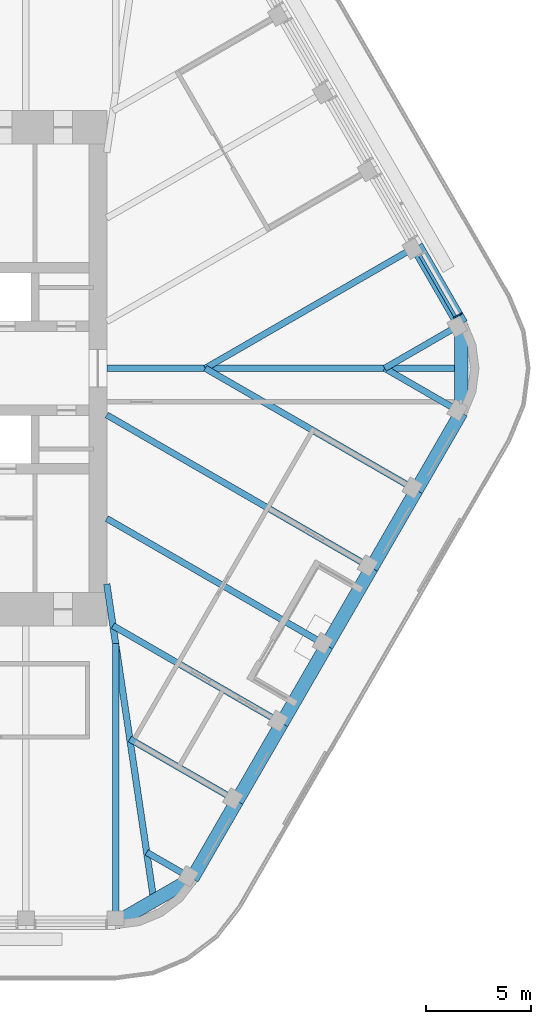
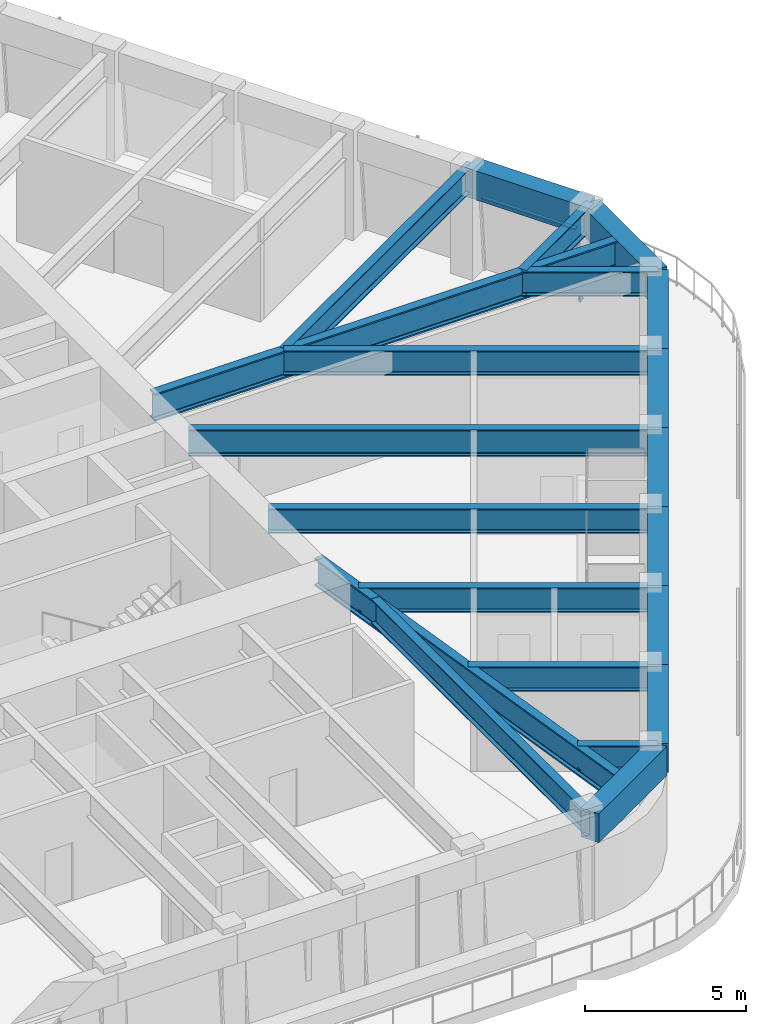
# One storey, part 5 of 20: 21 beams, 2 members, 1 element without a shape of its own.
"""IFC4 building model written with IfcOpenShell, lengths in metres."""

import ifcopenshell
import ifcopenshell.guid

model = None  # the IFC model being written
_history = None  # IfcOwnerHistory: only IFC2X3 demands one
_inside = {}  # id of a spatial element -> (the spatial element, [elements in it])
_under = {}  # id of a project, library or spatial element -> (it, [spatial elements below it])
_declared = {}  # id of a project -> (the project, [libraries it declares])
_typed = {}  # id of a type object -> (the type object, [elements of that type])
_made_of = {}  # id of a material, layer set ... -> (it, [elements and type objects made of it])


def new_model(schema):
    """Start an empty IFC model of exactly this schema.

    Asked for "IFC4X3", IfcOpenShell would pick the latest addendum, in which some entities
    have other attributes; the version numbers below select the first issue.
    IFC2X3 requires an IfcOwnerHistory on every rooted entity: one is made here for all.
    """
    global model, _history
    if schema == "IFC4X3":
        model = ifcopenshell.file(schema_version=(4, 3, 0, 0))
    else:
        model = ifcopenshell.file(schema=schema)
    _inside.clear()
    _under.clear()
    _declared.clear()
    _typed.clear()
    _made_of.clear()
    _history = None
    if model.schema == "IFC2X3":
        org = make("IfcOrganization", Name="unknown")
        user = make(
            "IfcPersonAndOrganization",
            ThePerson=make("IfcPerson", FamilyName="unknown"),
            TheOrganization=org,
        )
        app = make(
            "IfcApplication",
            ApplicationDeveloper=org,
            Version="unknown",
            ApplicationFullName="unknown",
            ApplicationIdentifier="unknown",
        )
        _history = make(
            "IfcOwnerHistory",
            OwningUser=user,
            OwningApplication=app,
            ChangeAction="ADDED",
            CreationDate=0,
        )
    return model


def make(cls, **values):
    """One entity of the class cls with the attributes given. An attribute that is None is left unset."""
    return model.create_entity(
        cls, **{name: value for name, value in values.items() if value is not None}
    )


def rooted(cls, **values):
    """An entity with a GlobalId (a new one), such as an element, a storey or a relation."""
    return make(cls, GlobalId=ifcopenshell.guid.new(), OwnerHistory=_history, **values)


def si_unit(unit_type, name, prefix=None):
    """IfcSIUnit, for example si_unit("LENGTHUNIT", "METRE", prefix="MILLI")."""
    return make("IfcSIUnit", UnitType=unit_type, Prefix=prefix, Name=name)


def assignment(units):
    """IfcUnitAssignment: the units of a project."""
    return None if units is None else make("IfcUnitAssignment", Units=units)


def point(xyz):
    """IfcCartesianPoint."""
    return None if xyz is None else make("IfcCartesianPoint", Coordinates=xyz)


def direction(xyz):
    """IfcDirection."""
    return None if xyz is None else make("IfcDirection", DirectionRatios=xyz)


def frame(location, z_axis=None, x_axis=None):
    """IfcAxis2Placement3D, a coordinate frame: its origin and axes. An axis left out is left unset."""
    return make(
        "IfcAxis2Placement3D",
        Location=point(location),
        Axis=direction(z_axis),
        RefDirection=direction(x_axis),
    )


def frame_2d(location, x_axis=None):
    """IfcAxis2Placement2D, a coordinate frame in the plane: its origin and x axis."""
    return make(
        "IfcAxis2Placement2D", Location=point(location), RefDirection=direction(x_axis)
    )


def origin():
    """The frame at (0, 0, 0) with its axes left unset."""
    return frame((0.0, 0.0, 0.0))


def origin_2d():
    """The frame at (0, 0) in the plane with its x axis left unset."""
    return frame_2d((0.0, 0.0))


def place(relative_to, where):
    """IfcLocalPlacement: puts the frame where relative to a parent placement (None: the world)."""
    return make(
        "IfcLocalPlacement", PlacementRelTo=relative_to, RelativePlacement=where
    )


def context(
    kind, dimensions, precision=None, world=None, true_north=None, identifier=None
):
    """IfcGeometricRepresentationContext, for example the 3D "Model" context."""
    return make(
        "IfcGeometricRepresentationContext",
        ContextIdentifier=identifier,
        ContextType=kind,
        CoordinateSpaceDimension=dimensions,
        Precision=precision,
        WorldCoordinateSystem=world,
        TrueNorth=true_north,
    )


def subcontext(parent, identifier, kind, view, scale=None):
    """IfcGeometricRepresentationSubContext, for example "Body" below "Model"."""
    return make(
        "IfcGeometricRepresentationSubContext",
        ContextIdentifier=identifier,
        ContextType=kind,
        ParentContext=parent,
        TargetScale=scale,
        TargetView=view,
    )


def project(units=None, contexts=None):
    """IfcProject with its units and contexts."""
    return rooted(
        "IfcProject",
        Name="project",
        RepresentationContexts=contexts,
        UnitsInContext=assignment(units),
    )


def spatial(cls, under=None, at=None, **own):
    """A site, building, storey or space (cls), placed at a placement, below another one or the project."""
    s = rooted(cls, ObjectPlacement=at, **own)
    if under is not None:
        _under.setdefault(under.id(), (under, []))[1].append(s)
    return s


def profile(cls, at=None, kind="AREA", **sizes):
    """A parametric profile (cls). Its sizes go by their IFC names, for example OverallWidth=200.0."""
    return make(cls, ProfileType=kind, Position=at, **sizes)


def rectangle(**sizes):
    """IfcRectangleProfileDef."""
    return profile("IfcRectangleProfileDef", **sizes)


def i_section(**sizes):
    """IfcIShapeProfileDef."""
    return profile("IfcIShapeProfileDef", **sizes)


def extrude(swept, where, along, depth):
    """IfcExtrudedAreaSolid: the profile swept, set in the frame where, extruded along a direction by depth."""
    return make(
        "IfcExtrudedAreaSolid",
        SweptArea=swept,
        Position=where,
        ExtrudedDirection=direction(along),
        Depth=depth,
    )


def shape(context_of_items, identifier, shape_type, items):
    """IfcShapeRepresentation: the items that make up one representation, for example the "Body"."""
    return make(
        "IfcShapeRepresentation",
        ContextOfItems=context_of_items,
        RepresentationIdentifier=identifier,
        RepresentationType=shape_type,
        Items=items,
    )


def material(Name=None, Category=None):
    """IfcMaterial."""
    return make("IfcMaterial", Name=Name, Category=Category)


def material_profile(
    of_material, cross_section, Name=None, Category=None, Priority=None
):
    """IfcMaterialProfile: a cross section and its material."""
    return make(
        "IfcMaterialProfile",
        Name=Name,
        Material=of_material,
        Profile=cross_section,
        Priority=Priority,
        Category=Category,
    )


def profile_set(profiles, Name=None, composite=None):
    """IfcMaterialProfileSet."""
    return make(
        "IfcMaterialProfileSet",
        Name=Name,
        MaterialProfiles=profiles,
        CompositeProfile=composite,
    )


def made_of(thing, what):
    """Note that an element or type object is made of a material, layer set ...; save() writes the relation."""
    if what is not None:
        _made_of.setdefault(what.id(), (what, []))[1].append(thing)
    return thing


def type_object(cls, material=None, **own):
    """A type object (cls), such as IfcWallType, which elements share."""
    return made_of(rooted(cls, **own), material)


def element(
    cls,
    number,
    at=None,
    inside=None,
    cuts=None,
    type_object=None,
    material=None,
    context=None,
    identifier="Body",
    shape_type=None,
    held_by="IfcProductDefinitionShape",
    body=None,
    shapes=None,
    **own,
):
    """One element of the class cls, such as IfcWall. Its Tag is "e" and its number.

    at: its placement. inside: the storey or other place that contains it. cuts: it is an
    opening in that element (IfcRelVoidsElement). A single representation is given by context,
    identifier, shape_type and body (its items); several are given by shapes. held_by: the class
    of the entity that holds the representations. save() writes the other relations.
    """
    e = rooted(cls, Tag="e%d" % number, ObjectPlacement=at, **own)
    if body is not None:
        shapes = [shape(context, identifier, shape_type, body)]
    if shapes is not None:
        e.Representation = make(held_by, Representations=shapes)
    if inside is not None:
        _inside.setdefault(inside.id(), (inside, []))[1].append(e)
    if cuts is not None:
        rooted(
            "IfcRelVoidsElement", RelatingBuildingElement=cuts, RelatedOpeningElement=e
        )
    if type_object is not None:
        _typed.setdefault(type_object.id(), (type_object, []))[1].append(e)
    return made_of(e, material)


def aggregate(whole, parts):
    """IfcRelAggregates: a whole, such as a stair, and the parts it consists of."""
    return rooted("IfcRelAggregates", RelatingObject=whole, RelatedObjects=parts)


def save(model, path):
    """Write the relations noted so far, then the file.

    IfcRelAggregates (storeys below a building ...), IfcRelContainedInSpatialStructure (elements
    in a storey), IfcRelDefinesByType, IfcRelAssociatesMaterial and IfcRelDeclares: one each for
    every whole, place, type object, material and project.
    """
    for whole, parts in _under.values():
        aggregate(whole, parts)
    for where, things in _inside.values():
        rooted(
            "IfcRelContainedInSpatialStructure",
            RelatedElements=things,
            RelatingStructure=where,
        )
    for kind, things in _typed.values():
        rooted("IfcRelDefinesByType", RelatedObjects=things, RelatingType=kind)
    for what, things in _made_of.values():
        rooted("IfcRelAssociatesMaterial", RelatedObjects=things, RelatingMaterial=what)
    for by, libraries in _declared.values():
        rooted("IfcRelDeclares", RelatingContext=by, RelatedDefinitions=libraries)
    model.write(path)


model = new_model("IFC4")

# Units and contexts
model_context = context("Model", 3, precision=1e-05, world=origin(), true_north=direction((0.0, 1.0)))
body_context = subcontext(model_context, "Body", "Model", "MODEL_VIEW")
ifc_project = project(units=[si_unit("LENGTHUNIT", "METRE"), si_unit("AREAUNIT", "SQUARE_METRE"), si_unit("VOLUMEUNIT", "CUBIC_METRE"), si_unit("PLANEANGLEUNIT", "RADIAN"), si_unit("MASSUNIT", "GRAM", prefix="KILO")], contexts=[model_context])

# Site, building, storey
site_placement = place(None, origin())
site = spatial("IfcSite", under=ifc_project, at=site_placement, CompositionType="ELEMENT")
building_placement = place(site_placement, origin())
building = spatial("IfcBuilding", under=site, at=building_placement, Name="Tarfa Lantern Tower", CompositionType="ELEMENT")
storey_placement = place(building_placement, frame((0.0, 0.0, 382.89990234375)))
storey = spatial("IfcBuildingStorey", under=building, at=storey_placement, Name="L87", CompositionType="ELEMENT", Elevation=382.89990234375)

# Curtain wall, members
ifc_material_1 = material(Name="Aluminium framed curtain wall", Category="aluminium")
curtain_wall_type = type_object("IfcCurtainWallType", Name="CW4 CANTED GLAZING EXECUTIVE ZONE 2900", PredefinedType="USERDEFINED", material=ifc_material_1)
curtain_wall_placement = place(storey_placement, origin())
curtain_wall = element("IfcCurtainWall", 1, at=curtain_wall_placement, inside=storey, type_object=curtain_wall_type, Name="CW4 NE L87", ObjectType="CURTAIN WALL", PredefinedType="USERDEFINED")
ifc_material_2 = material(Name="Aluminium mullion", Category="aluminium")
ifc_material_profile_1 = material_profile(ifc_material_2, rectangle(XDim=0.06494140625, YDim=0.199951171875, at=origin_2d()), Name="AL MULLION 65x200")
ifc_profile_set_1 = profile_set([ifc_material_profile_1], Name="Aluminium mullion")
member_type_1 = type_object("IfcMemberType", Name="CWM1 MULLION 65x200", PredefinedType="MULLION", material=ifc_profile_set_1)
member_1_placement = place(storey_placement, frame((29.286376953125, 2.574462890625, 0.0), z_axis=(-0.074393603155, -0.042941967097, 0.996303959277), x_axis=(0.499919672301, -0.866071776036, 0.0)))
member_1 = element("IfcMember", 2, at=member_1_placement, type_object=member_type_1, Name="CW4 mullion 1", PredefinedType="MULLION", context=body_context, shape_type="SweptSolid", body=[
    extrude(rectangle(XDim=0.06494140625, YDim=0.199951171875, at=origin_2d()), origin(), (0.0, 0.0, 1.0), 2.910888671875),
])
ifc_material_3 = material(Name="Aluminium transom", Category="aluminium")
ifc_material_profile_2 = material_profile(ifc_material_3, rectangle(XDim=0.14990234375, YDim=0.06494140625, at=origin_2d()), Name="AL TRANSOM 150x65")
ifc_profile_set_2 = profile_set([ifc_material_profile_2], Name="Aluminium transom")
member_type_2 = type_object("IfcMemberType", Name="CWT1 TRANSOM 150x65", PredefinedType="USERDEFINED", material=ifc_profile_set_2)
member_2_placement = place(storey_placement, frame((29.055908203125, 2.47900390625, 2.86767578125), z_axis=(-0.499930512259, 0.866065518833, 0.0), x_axis=(-0.866065518833, -0.499930512259, 0.0)))
member_2 = element("IfcMember", 3, at=member_2_placement, type_object=member_type_2, Name="CW4 transom 1.2", ObjectType="TRANSOM", PredefinedType="USERDEFINED", context=body_context, shape_type="SweptSolid", body=[
    extrude(rectangle(XDim=0.14990234375, YDim=0.06494140625, at=origin_2d()), origin(), (0.0, 0.0, 1.0), 3.35205078125),
])
aggregate(curtain_wall, [member_1, member_2])

# Beams
ifc_material_4 = material(Name="Concrete C80/95", Category="concrete")
ifc_material_profile_3 = material_profile(ifc_material_4, rectangle(XDim=0.64990234375, YDim=1.10009765625, at=origin_2d()), Name="RC 650x1100")
ifc_profile_set_3 = profile_set([ifc_material_profile_3], Name="Concrete C80/95")
beam_type_1 = type_object("IfcBeamType", Name="EB4 RC 650x1100", PredefinedType="SPANDREL", material=ifc_profile_set_3)
beam_1_placement = place(storey_placement, frame((29.3466796875, 2.110107421875, 3.4501953125), z_axis=(-0.499984039138, 0.866034618596, 0.0), x_axis=(-0.866034618596, -0.499984039138, 0.0)))
element("IfcBeam", 4, at=beam_1_placement, inside=storey, type_object=beam_type_1, Name="Edge beam NE0", PredefinedType="SPANDREL", context=body_context, shape_type="SweptSolid", body=[
    extrude(rectangle(XDim=0.64990234375, YDim=1.10009765625, at=origin_2d()), origin(), (0.0, 0.0, 1.0), 4.281982421875),
])
beam_2_placement = place(storey_placement, frame((12.845947265625, -26.469970703125, 3.4501953125), z_axis=(0.866048788483, 0.499959494327, 0.0), x_axis=(-0.499959494327, 0.866048788483, 0.0)))
element("IfcBeam", 5, at=beam_2_placement, inside=storey, type_object=beam_type_1, Name="Edge beam S6", PredefinedType="SPANDREL", context=body_context, shape_type="SweptSolid", body=[
    extrude(rectangle(XDim=0.64990234375, YDim=1.10009765625, at=origin_2d()), origin(), (0.0, 0.0, 1.0), 4.219970703125),
])
for number, where, z_axis, x_axis, name in (
    (6, (16.500732421875, -24.360107421875, 3.4501953125), (0.499959351497, 0.866048870937, 0.0), (-0.866048870937, 0.499959351497, 0.0), "Edge beam SE0"),
    (7, (18.6416015625, -20.651611328125, 3.4501953125), (0.500026801138, 0.866009929587, 0.0), (-0.866009929587, 0.500026801138, 0.0), "Edge beam SE1"),
    (8, (20.78271484375, -16.943359375, 3.4501953125), (0.499984039138, 0.866034618596, 0.0), (-0.866034618596, 0.499984039138, 0.0), "Edge beam SE2"),
):
    element("IfcBeam", number, at=place(storey_placement, frame(where, z_axis=z_axis, x_axis=x_axis)), inside=storey, type_object=beam_type_1, Name=name, PredefinedType="SPANDREL", context=body_context, shape_type="SweptSolid", body=[
        extrude(rectangle(XDim=0.64990234375, YDim=1.10009765625, at=origin_2d()), origin(), (0.0, 0.0, 1.0), 4.281982421875),
    ])
beam_3_placement = place(storey_placement, frame((22.923583984375, -13.235107421875, 3.4501953125), z_axis=(0.500002112793, 0.866024183959, 0.0), x_axis=(-0.866024183959, 0.500002112793, 0.0)))
element("IfcBeam", 9, at=beam_3_placement, inside=storey, type_object=beam_type_1, Name="Edge beam SE3", PredefinedType="SPANDREL", context=body_context, shape_type="SweptSolid", body=[
    extrude(rectangle(XDim=0.64990234375, YDim=1.10009765625, at=origin_2d()), origin(), (0.0, 0.0, 1.0), 4.2822265625),
])
for number, where, z_axis, x_axis, name in (
    (10, (25.064697265625, -9.526611328125, 3.4501953125), (0.500026801138, 0.866009929587, 0.0), (-0.866009929587, 0.500026801138, 0.0), "Edge beam SE4"),
    (11, (27.205810546875, -5.818359375, 3.4501953125), (0.499984039138, 0.866034618596, 0.0), (-0.866034618596, 0.499984039138, 0.0), "Edge beam SE5"),
):
    element("IfcBeam", number, at=place(storey_placement, frame(where, z_axis=z_axis, x_axis=x_axis)), inside=storey, type_object=beam_type_1, Name=name, PredefinedType="SPANDREL", context=body_context, shape_type="SweptSolid", body=[
        extrude(rectangle(XDim=0.64990234375, YDim=1.10009765625, at=origin_2d()), origin(), (0.0, 0.0, 1.0), 4.281982421875),
    ])
beam_4_placement = place(storey_placement, frame((29.3466796875, -2.110107421875, 3.4501953125), z_axis=(0.0, 1.0, 0.0), x_axis=(-1.0, 0.0, 0.0)))
element("IfcBeam", 12, at=beam_4_placement, inside=storey, type_object=beam_type_1, Name="Edge beam SE6", PredefinedType="SPANDREL", context=body_context, shape_type="SweptSolid", body=[
    extrude(rectangle(XDim=0.64990234375, YDim=1.10009765625, at=origin_2d()), origin(), (0.0, 0.0, 1.0), 4.22021484375),
])
ifc_material_5 = material(Name="Steel S460M", Category="steel")
ifc_material_profile_4 = material_profile(ifc_material_5, i_section(OverallWidth=0.302001953125, OverallDepth=1.008056640625, WebThickness=0.02099609375, FlangeThickness=0.0400390625, FilletRadius=0.030029296875, at=origin_2d()), Name="UB1016x305x349")
ifc_profile_set_4 = profile_set([ifc_material_profile_4], Name="Steel S460M")
beam_type_2 = type_object("IfcBeamType", Name="UB1016x305x349", PredefinedType="BEAM", material=ifc_profile_set_4)
beam_5_placement = place(storey_placement, frame((25.064697265625, -9.526611328125, 3.49609375), z_axis=(-0.866029591389, 0.499992746786, 0.0), x_axis=(-0.499992746786, -0.866029591389, 0.0)))
element("IfcBeam", 13, at=beam_5_placement, inside=storey, type_object=beam_type_2, Name="Floor beam SE4", PredefinedType="BEAM", context=body_context, shape_type="SweptSolid", body=[
    extrude(i_section(OverallWidth=0.302001953125, OverallDepth=1.008056640625, WebThickness=0.02099609375, FlangeThickness=0.0400390625, FilletRadius=0.030029296875, at=origin_2d()), origin(), (0.0, 0.0, 1.0), 14.594970703125),
])
ifc_material_profile_5 = material_profile(ifc_material_5, i_section(OverallWidth=0.30859375, OverallDepth=1.036376953125, WebThickness=0.030029296875, FlangeThickness=0.05419921875, FilletRadius=0.030029296875, at=origin_2d()), Name="UB1016x305x487")
ifc_profile_set_5 = profile_set([ifc_material_profile_5], Name="Steel S460M")
beam_type_3 = type_object("IfcBeamType", Name="UB1016x305x487", PredefinedType="BEAM", material=ifc_profile_set_5)
beam_6_placement = place(storey_placement, frame((12.425048828125, 0.0, 3.48193359375), z_axis=(1.0, 0.0, 0.0), x_axis=(0.0, 1.0, 0.0)))
element("IfcBeam", 14, at=beam_6_placement, inside=storey, type_object=beam_type_3, Name="Hip girder E", PredefinedType="BEAM", context=body_context, shape_type="SweptSolid", body=[
    extrude(i_section(OverallWidth=0.30859375, OverallDepth=1.036376953125, WebThickness=0.030029296875, FlangeThickness=0.05419921875, FilletRadius=0.030029296875, at=origin_2d()), origin(), (0.0, 0.0, 1.0), 16.921630859375),
])
beam_7_placement = place(storey_placement, frame((12.425048828125, -10.300048828125, 3.48193359375), z_axis=(0.147127069073, -0.989117599452, 0.0), x_axis=(0.989117599452, 0.147127069073, 0.0)))
element("IfcBeam", 15, at=beam_7_placement, inside=storey, type_object=beam_type_3, Name="Hip girder SE", PredefinedType="BEAM", context=body_context, shape_type="SweptSolid", body=[
    extrude(i_section(OverallWidth=0.30859375, OverallDepth=1.036376953125, WebThickness=0.030029296875, FlangeThickness=0.05419921875, FilletRadius=0.030029296875, at=origin_2d()), origin(), (0.0, 0.0, 1.0), 15.28125),
])
ifc_material_profile_6 = material_profile(ifc_material_5, i_section(OverallWidth=0.305419921875, OverallDepth=0.91845703125, WebThickness=0.017333984375, FlangeThickness=0.02783203125, FilletRadius=0.01904296875, at=origin_2d()), Name="UB914x305x253")
ifc_profile_set_6 = profile_set([ifc_material_profile_6], Name="Steel S460M")
beam_type_4 = type_object("IfcBeamType", Name="UB914x305x253", PredefinedType="BEAM", material=ifc_profile_set_6)
beam_8_placement = place(storey_placement, frame((29.3466796875, 2.110107421875, 3.541015625), z_axis=(-0.866009274789, -0.500027935199, 0.0), x_axis=(0.500027935199, -0.866009274789, 0.0)))
element("IfcBeam", 16, at=beam_8_placement, inside=storey, type_object=beam_type_4, Name="Floor beam NE0", PredefinedType="BEAM", context=body_context, shape_type="SweptSolid", body=[
    extrude(i_section(OverallWidth=0.305419921875, OverallDepth=0.91845703125, WebThickness=0.017333984375, FlangeThickness=0.02783203125, FilletRadius=0.01904296875, at=origin_2d()), origin(), (0.0, 0.0, 1.0), 4.219970703125),
])
beam_9_placement = place(storey_placement, frame((27.205810546875, 5.818359375, 3.541015625), z_axis=(-0.866024171998, -0.500002133511, 0.0), x_axis=(0.500002133511, -0.866024171998, 0.0)))
element("IfcBeam", 17, at=beam_9_placement, inside=storey, type_object=beam_type_4, Name="Floor beam NE1", PredefinedType="BEAM", context=body_context, shape_type="SweptSolid", body=[
    extrude(i_section(OverallWidth=0.305419921875, OverallDepth=0.91845703125, WebThickness=0.017333984375, FlangeThickness=0.02783203125, FilletRadius=0.01904296875, at=origin_2d()), origin(), (0.0, 0.0, 1.0), 11.63671875),
])
beam_10_placement = place(storey_placement, frame((12.845947265625, -26.469970703125, 3.541015625), z_axis=(0.0, 1.0, 0.0), x_axis=(-1.0, 0.0, 0.0)))
element("IfcBeam", 18, at=beam_10_placement, inside=storey, type_object=beam_type_4, Name="Floor beam S6", PredefinedType="BEAM", context=body_context, shape_type="SweptSolid", body=[
    extrude(i_section(OverallWidth=0.305419921875, OverallDepth=0.91845703125, WebThickness=0.017333984375, FlangeThickness=0.02783203125, FilletRadius=0.01904296875, at=origin_2d()), origin(), (0.0, 0.0, 1.0), 13.33935546875),
])
beam_11_placement = place(storey_placement, frame((16.500732421875, -24.360107421875, 3.541015625), z_axis=(-0.865992557167, 0.500056887695, 0.0), x_axis=(-0.500056887695, -0.865992557167, 0.0)))
element("IfcBeam", 19, at=beam_11_placement, inside=storey, type_object=beam_type_4, Name="Floor beam SE0", PredefinedType="BEAM", context=body_context, shape_type="SweptSolid", body=[
    extrude(i_section(OverallWidth=0.305419921875, OverallDepth=0.91845703125, WebThickness=0.017333984375, FlangeThickness=0.02783203125, FilletRadius=0.01904296875, at=origin_2d()), origin(), (0.0, 0.0, 1.0), 2.506591796875),
])
beam_12_placement = place(storey_placement, frame((18.6416015625, -20.651611328125, 3.541015625), z_axis=(-0.866024549157, 0.500001480256, 0.0), x_axis=(-0.500001480256, -0.866024549157, 0.0)))
element("IfcBeam", 20, at=beam_12_placement, inside=storey, type_object=beam_type_4, Name="Floor beam SE1", PredefinedType="BEAM", context=body_context, shape_type="SweptSolid", body=[
    extrude(i_section(OverallWidth=0.305419921875, OverallDepth=0.91845703125, WebThickness=0.017333984375, FlangeThickness=0.02783203125, FilletRadius=0.01904296875, at=origin_2d()), origin(), (0.0, 0.0, 1.0), 5.90771484375),
])
beam_13_placement = place(storey_placement, frame((20.78271484375, -16.943359375, 3.541015625), z_axis=(-0.866021806508, 0.500006230613, 0.0), x_axis=(-0.500006230613, -0.866021806508, 0.0)))
element("IfcBeam", 21, at=beam_13_placement, inside=storey, type_object=beam_type_4, Name="Floor beam SE2", PredefinedType="BEAM", context=body_context, shape_type="SweptSolid", body=[
    extrude(i_section(OverallWidth=0.305419921875, OverallDepth=0.91845703125, WebThickness=0.017333984375, FlangeThickness=0.02783203125, FilletRadius=0.01904296875, at=origin_2d()), origin(), (0.0, 0.0, 1.0), 9.30908203125),
])
beam_14_placement = place(storey_placement, frame((22.923583984375, -13.235107421875, 3.541015625), z_axis=(-0.86601856927, 0.500011837539, 0.0), x_axis=(-0.500011837539, -0.86601856927, 0.0)))
element("IfcBeam", 22, at=beam_14_placement, inside=storey, type_object=beam_type_4, Name="Floor beam SE3", PredefinedType="BEAM", context=body_context, shape_type="SweptSolid", body=[
    extrude(i_section(OverallWidth=0.305419921875, OverallDepth=0.91845703125, WebThickness=0.017333984375, FlangeThickness=0.02783203125, FilletRadius=0.01904296875, at=origin_2d()), origin(), (0.0, 0.0, 1.0), 12.122802734375),
])
beam_15_placement = place(storey_placement, frame((27.205810546875, -5.818359375, 3.541015625), z_axis=(-0.866024171998, 0.500002133511, 0.0), x_axis=(-0.500002133511, -0.866024171998, 0.0)))
element("IfcBeam", 23, at=beam_15_placement, inside=storey, type_object=beam_type_4, Name="Floor beam SE5", PredefinedType="BEAM", context=body_context, shape_type="SweptSolid", body=[
    extrude(i_section(OverallWidth=0.305419921875, OverallDepth=0.91845703125, WebThickness=0.017333984375, FlangeThickness=0.02783203125, FilletRadius=0.01904296875, at=origin_2d()), origin(), (0.0, 0.0, 1.0), 11.63671875),
])
beam_16_placement = place(storey_placement, frame((29.3466796875, -2.110107421875, 3.541015625), z_axis=(-0.866009274789, 0.500027935199, 0.0), x_axis=(-0.500027935199, -0.866009274789, 0.0)))
element("IfcBeam", 24, at=beam_16_placement, inside=storey, type_object=beam_type_4, Name="Floor beam SE6", PredefinedType="BEAM", context=body_context, shape_type="SweptSolid", body=[
    extrude(i_section(OverallWidth=0.305419921875, OverallDepth=0.91845703125, WebThickness=0.017333984375, FlangeThickness=0.02783203125, FilletRadius=0.01904296875, at=origin_2d()), origin(), (0.0, 0.0, 1.0), 4.219970703125),
])

save(model, "model.ifc")
